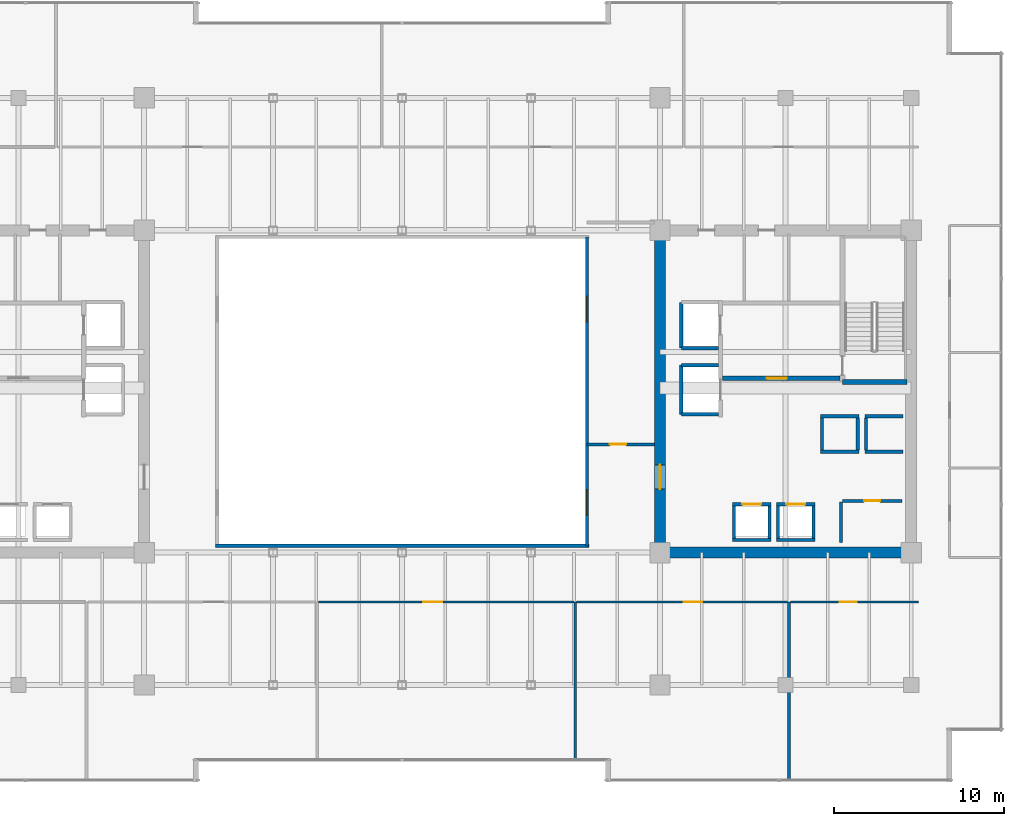
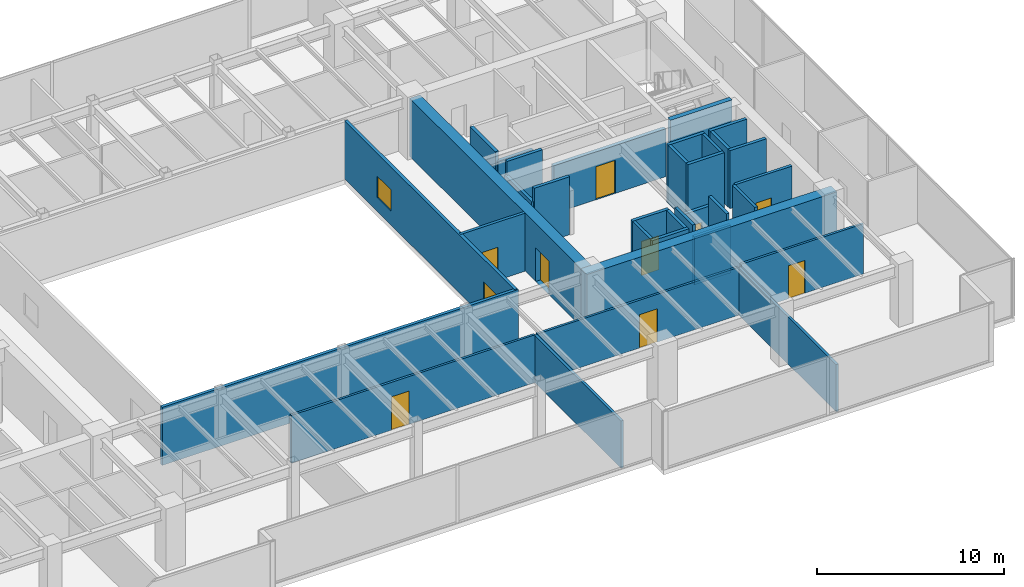
# One storey, part 26 of 30: 34 walls, 9 doors, 2 windows, 11 openings.
"""IFC4 building model written with IfcOpenShell, lengths in metres."""

from ifc_helpers import new_model, si_unit, direction, frame, frame_2d, origin, place, context, subcontext, project, spatial, rectangle, extrude, source, transform, mapped, material, layer, layer_set, type_object, type_shapes, element, fill, save


model = new_model("IFC4")

# Units and contexts
model_context = context("Model", 3, precision=1e-05, world=origin(), true_north=direction((0.0, 1.0)))
body_context = subcontext(model_context, "Body", "Model", "MODEL_VIEW")
ifc_project = project(units=[si_unit("LENGTHUNIT", "METRE"), si_unit("AREAUNIT", "SQUARE_METRE"), si_unit("VOLUMEUNIT", "CUBIC_METRE"), si_unit("PLANEANGLEUNIT", "RADIAN"), si_unit("MASSUNIT", "GRAM", prefix="KILO")], contexts=[model_context])

# Site, building, storey
site_placement = place(None, origin())
site = spatial("IfcSite", under=ifc_project, at=site_placement, CompositionType="ELEMENT")
building_placement = place(site_placement, origin())
building = spatial("IfcBuilding", under=site, at=building_placement, Name="Haelvirn Gate Laboratories", CompositionType="ELEMENT")
storey_placement = place(building_placement, frame((0.0, 0.0, 142.0)))
storey = spatial("IfcBuildingStorey", under=building, at=storey_placement, Name="L34", CompositionType="ELEMENT", Elevation=142.0)

# Walls
ifc_material_1 = material(Name="Double-layer acoustic gypsum laboratory partition", Category="gypsum")
ifc_layer_1 = layer(ifc_material_1, 0.159912109375, Name="IW-ACOUST-160")
ifc_layer_set_1 = layer_set([ifc_layer_1], Name="Double-layer acoustic gypsum laboratory partition")
wall_type_1 = type_object("IfcWallType", Name="IW-ACOUST-160", PredefinedType="PARTITIONING", material=ifc_layer_set_1)
wall_1_placement = place(storey_placement, frame((47.60009765625, 2.610107421875, 0.0), z_axis=(0.0, 0.0, 1.0), x_axis=(0.0, 1.0, 0.0)))
element("IfcWall", 1, at=wall_1_placement, inside=storey, type_object=wall_type_1, Name="L34 Interior Wall IW-L34-SDIV-03", PredefinedType="PARTITIONING", context=body_context, shape_type="SweptSolid", body=[
    extrude(rectangle(XDim=9.27978515625, YDim=0.159912109375, at=frame_2d((4.639892578125, 0.0))), origin(), (0.0, 0.0, 1.0), 3.074951171875),
])
wall_2_placement = place(storey_placement, frame((60.199951171875, 1.409912109375, 0.0), z_axis=(0.0, 0.0, 1.0), x_axis=(0.0, 1.0, 0.0)))
element("IfcWall", 2, at=wall_2_placement, inside=storey, type_object=wall_type_1, Name="L34 Interior Wall IW-L34-SDIV-04", PredefinedType="PARTITIONING", context=body_context, shape_type="SweptSolid", body=[
    extrude(rectangle(XDim=10.47998046875, YDim=0.159912109375, at=frame_2d((5.239990234375, 0.0))), origin(), (0.0, 0.0, 1.0), 3.074951171875),
])

# Wall, opening, door
ifc_material_2 = material(Name="Fire-rated acoustic gypsum board partition", Category="gypsum")
ifc_layer_2 = layer(ifc_material_2, 0.175048828125, Name="IW-ACOUST-180")
ifc_layer_set_2 = layer_set([ifc_layer_2], Name="Fire-rated acoustic gypsum board partition")
wall_type_2 = type_object("IfcWallType", Name="IW-ACOUST-180", PredefinedType="PARTITIONING", material=ifc_layer_set_2)
wall_3_placement = place(storey_placement, frame((48.300048828125, 21.179931640625, 0.0), z_axis=(0.0, 0.0, 1.0), x_axis=(1.0, 0.0, 0.0)))
wall_3 = element("IfcWall", 3, at=wall_3_placement, inside=storey, type_object=wall_type_2, Name="L34 Interior Wall IW-L34-ASEM-S", PredefinedType="PARTITIONING", context=body_context, shape_type="SweptSolid", body=[
    extrude(rectangle(XDim=3.974853515625, YDim=0.175048828125, at=frame_2d((1.9873046875, 0.0))), origin(), (0.0, 0.0, 1.0), 3.7900390625),
])
opening_1_placement = place(wall_3_placement, frame((1.35009765625, 0.0, 0.0)))
opening_1 = element("IfcOpeningElement", 4, at=opening_1_placement, cuts=wall_3, Name="Opening FD4", PredefinedType="OPENING", context=body_context, shape_type="SweptSolid", body=[
    extrude(rectangle(XDim=0.949951171875, YDim=2.14990234375, at=frame_2d((0.47509765625, 1.074951171875))), frame((0.0, 0.09765625, 0.0), z_axis=(0.0, -1.0, 0.0), x_axis=(1.0, 0.0, 0.0)), (0.0, 0.0, 1.0), 0.195068359375),
])
ifc_material_3 = material(Name="Fire-rated steel SM355 core service door", Category="steel")
door_type_1 = type_object("IfcDoorType", Name="DR-FD-950", OperationType="NOTDEFINED", PredefinedType="DOOR", material=ifc_material_3)
shared_shape_1 = source(origin(), body_context, "Body", "SweptSolid", [
    extrude(rectangle(XDim=0.949951171875, YDim=2.14990234375, at=frame_2d((0.47509765625, 1.074951171875))), frame((0.0, 0.02490234375, 0.0), z_axis=(0.0, -1.0, 0.0), x_axis=(1.0, 0.0, 0.0)), (0.0, 0.0, 1.0), 0.050048828125),
])
type_shapes(door_type_1, [shared_shape_1])
door_1_placement = place(opening_1_placement, origin())
door_1 = element("IfcDoor", 5, at=door_1_placement, inside=storey, type_object=door_type_1, Name="L34 Atrium Bioinformatics Suite Door", OperationType="SINGLE_SWING_LEFT", OverallHeight=2.14990234375, OverallWidth=0.949951171875, PredefinedType="DOOR", context=body_context, shape_type="MappedRepresentation", body=[
    mapped(shared_shape_1, transform((0.0, 0.0, 0.0), scale=1.0)),
])
fill(opening_1, door_1)

# Wall, openings, windows
ifc_material_4 = material(Name="Tempered fire-rated borosilicate glass & anodised aluminium", Category="aluminium")
ifc_layer_3 = layer(ifc_material_4, 0.195068359375, Name="IW-GLAZ-200")
ifc_layer_set_3 = layer_set([ifc_layer_3], Name="Tempered fire-rated borosilicate glass & anodised aluminium")
wall_type_3 = type_object("IfcWallType", Name="IW-GLAZ-200", PredefinedType="SOLIDWALL", material=ifc_layer_set_3)
wall_4_placement = place(storey_placement, frame((48.300048828125, 15.199951171875, 0.0), z_axis=(0.0, 0.0, 1.0), x_axis=(0.0, 1.0, 0.0)))
wall_4 = element("IfcWall", 6, at=wall_4_placement, inside=storey, type_object=wall_type_3, Name="L34 Interior Wall IW-L34-ATRIUM-E", PredefinedType="SOLIDWALL", context=body_context, shape_type="SweptSolid", body=[
    extrude(rectangle(XDim=18.199951171875, YDim=0.195068359375, at=frame_2d((9.10009765625, 0.0))), origin(), (0.0, 0.0, 1.0), 3.7900390625),
])
opening_2_placement = place(wall_4_placement, frame((1.800048828125, 0.0, 0.89990234375)))
opening_2 = element("IfcOpeningElement", 7, at=opening_2_placement, cuts=wall_4, Name="Opening W5", PredefinedType="OPENING", context=body_context, shape_type="SweptSolid", body=[
    extrude(rectangle(XDim=1.5, YDim=1.39990234375, at=frame_2d((0.75, 0.699951171875))), frame((0.0, 0.107421875, 0.0), z_axis=(0.0, -1.0, 0.0), x_axis=(1.0, 0.0, 0.0)), (0.0, 0.0, 1.0), 0.215087890625),
])
opening_3_placement = place(wall_4_placement, frame((13.199951171875, 0.0, 0.89990234375)))
opening_3 = element("IfcOpeningElement", 8, at=opening_3_placement, cuts=wall_4, Name="Opening W5", PredefinedType="OPENING", context=body_context, shape_type="SweptSolid", body=[
    extrude(rectangle(XDim=1.5, YDim=1.39990234375, at=frame_2d((0.75, 0.699951171875))), frame((0.0, 0.107421875, 0.0), z_axis=(0.0, -1.0, 0.0), x_axis=(1.0, 0.0, 0.0)), (0.0, 0.0, 1.0), 0.215087890625),
])
ifc_material_5 = material(Name="Fire-rated EI 120 borosilicate atrium vision glazing", Category="glass")
window_type = type_object("IfcWindowType", Name="WN-ATR-1500", PartitioningType="SINGLE_PANEL", PredefinedType="WINDOW", material=ifc_material_5)
shared_shape_2 = source(origin(), body_context, "Body", "SweptSolid", [
    extrude(rectangle(XDim=1.5, YDim=1.39990234375, at=frame_2d((0.75, 0.699951171875))), frame((0.0, 0.030029296875, 0.0), z_axis=(0.0, -1.0, 0.0), x_axis=(1.0, 0.0, 0.0)), (0.0, 0.0, 1.0), 0.06005859375),
])
type_shapes(window_type, [shared_shape_2])
window_1_placement = place(opening_2_placement, origin())
window_1 = element("IfcWindow", 9, at=window_1_placement, inside=storey, type_object=window_type, Name="L34 Atrium Observation Window 1", OverallHeight=1.39990234375, OverallWidth=1.5, PartitioningType="SINGLE_PANEL", PredefinedType="WINDOW", context=body_context, shape_type="MappedRepresentation", body=[
    mapped(shared_shape_2, transform((0.0, 0.0, 0.0), scale=1.0)),
])
fill(opening_2, window_1)
window_2_placement = place(opening_3_placement, origin())
window_2 = element("IfcWindow", 10, at=window_2_placement, inside=storey, type_object=window_type, Name="L34 Atrium Observation Window 2", OverallHeight=1.39990234375, OverallWidth=1.5, PartitioningType="SINGLE_PANEL", PredefinedType="WINDOW", context=body_context, shape_type="MappedRepresentation", body=[
    mapped(shared_shape_2, transform((0.0, 0.0, 0.0), scale=1.0)),
])
fill(opening_3, window_2)

# Wall
wall_5_placement = place(storey_placement, frame((26.39990234375, 15.199951171875, 0.0), z_axis=(0.0, 0.0, 1.0), x_axis=(1.0, 0.0, 0.0)))
element("IfcWall", 11, at=wall_5_placement, inside=storey, type_object=wall_type_3, Name="L34 Interior Wall IW-L34-ATRIUM-S", PredefinedType="SOLIDWALL", context=body_context, shape_type="SweptSolid", body=[
    extrude(rectangle(XDim=22.0, YDim=0.195068359375, at=frame_2d((11.0, 0.0))), origin(), (0.0, 0.0, 1.0), 3.7900390625),
])

# Wall, opening, door
ifc_material_6 = material(Name="Acoustic mineral-wool gypsum board partition", Category="gypsum")
ifc_layer_4 = layer(ifc_material_6, 0.139892578125, Name="IW-PART-140")
ifc_layer_set_4 = layer_set([ifc_layer_4], Name="Acoustic mineral-wool gypsum board partition")
wall_type_4 = type_object("IfcWallType", Name="IW-PART-140", PredefinedType="PARTITIONING", material=ifc_layer_set_4)
wall_6_placement = place(storey_placement, frame((32.47998046875, 11.889892578125, 0.0), z_axis=(0.0, 0.0, 1.0), x_axis=(1.0, 0.0, 0.0)))
wall_6 = element("IfcWall", 12, at=wall_6_placement, inside=storey, type_object=wall_type_4, Name="L34 Interior Wall IW-L34-SCORR-03", PredefinedType="PARTITIONING", context=body_context, shape_type="SweptSolid", body=[
    extrude(rectangle(XDim=15.0400390625, YDim=0.139892578125, at=frame_2d((7.52001953125, 0.0))), origin(), (0.0, 0.0, 1.0), 3.125),
])
opening_4_placement = place(wall_6_placement, frame((6.175537109375, 0.0, 0.0)))
opening_4 = element("IfcOpeningElement", 13, at=opening_4_placement, cuts=wall_6, Name="Opening D1", PredefinedType="OPENING", context=body_context, shape_type="SweptSolid", body=[
    extrude(rectangle(XDim=1.10009765625, YDim=2.179931640625, at=frame_2d((0.550048828125, 1.08984375))), frame((0.0, 0.080078125, 0.0), z_axis=(0.0, -1.0, 0.0), x_axis=(1.0, 0.0, 0.0)), (0.0, 0.0, 1.0), 0.159912109375),
])
ifc_material_7 = material(Name="Vision-panel acoustic solid-core timber lab door", Category="wood")
door_type_2 = type_object("IfcDoorType", Name="DR-LAB-1100", OperationType="NOTDEFINED", PredefinedType="DOOR", material=ifc_material_7)
shared_shape_3 = source(origin(), body_context, "Body", "SweptSolid", [
    extrude(rectangle(XDim=1.10009765625, YDim=2.179931640625, at=frame_2d((0.550048828125, 1.08984375))), frame((0.0, 0.02490234375, 0.0), z_axis=(0.0, -1.0, 0.0), x_axis=(1.0, 0.0, 0.0)), (0.0, 0.0, 1.0), 0.050048828125),
])
type_shapes(door_type_2, [shared_shape_3])
door_2_placement = place(opening_4_placement, origin())
door_2 = element("IfcDoor", 14, at=door_2_placement, inside=storey, type_object=door_type_2, Name="L34 Bioinformatics Dry-Lab Workspace Door S3", OperationType="SINGLE_SWING_LEFT", OverallHeight=2.179931640625, OverallWidth=1.10009765625, PredefinedType="DOOR", context=body_context, shape_type="MappedRepresentation", body=[
    mapped(shared_shape_3, transform((0.0, 0.0, 0.0), scale=1.0)),
])
fill(opening_4, door_2)

wall_7_placement = place(storey_placement, frame((47.679931640625, 11.889892578125, 0.0), z_axis=(0.0, 0.0, 1.0), x_axis=(1.0, 0.0, 0.0)))
wall_7 = element("IfcWall", 15, at=wall_7_placement, inside=storey, type_object=wall_type_4, Name="L34 Interior Wall IW-L34-SCORR-04", PredefinedType="PARTITIONING", context=body_context, shape_type="SweptSolid", body=[
    extrude(rectangle(XDim=12.440185546875, YDim=0.139892578125, at=frame_2d((6.22021484375, 0.0))), origin(), (0.0, 0.0, 1.0), 3.125),
])
opening_5_placement = place(wall_7_placement, frame((6.308349609375, 0.0, 0.0)))
opening_5 = element("IfcOpeningElement", 16, at=opening_5_placement, cuts=wall_7, Name="Opening D1", PredefinedType="OPENING", context=body_context, shape_type="SweptSolid", body=[
    extrude(rectangle(XDim=1.10009765625, YDim=2.179931640625, at=frame_2d((0.550048828125, 1.08984375))), frame((0.0, 0.080078125, 0.0), z_axis=(0.0, -1.0, 0.0), x_axis=(1.0, 0.0, 0.0)), (0.0, 0.0, 1.0), 0.159912109375),
])
door_3_placement = place(opening_5_placement, origin())
door_3 = element("IfcDoor", 17, at=door_3_placement, inside=storey, type_object=door_type_2, Name="L34 Translational Data Office Door S4", OperationType="SINGLE_SWING_RIGHT", OverallHeight=2.179931640625, OverallWidth=1.10009765625, PredefinedType="DOOR", context=body_context, shape_type="MappedRepresentation", body=[
    mapped(shared_shape_3, transform((0.0, 0.0, 0.0), scale=1.0)),
])
fill(opening_5, door_3)

wall_8_placement = place(storey_placement, frame((60.280029296875, 11.889892578125, 0.0), z_axis=(0.0, 0.0, 1.0), x_axis=(1.0, 0.0, 0.0)))
wall_8 = element("IfcWall", 18, at=wall_8_placement, inside=storey, type_object=wall_type_4, Name="L34 Interior Wall IW-L34-SCORR-05", PredefinedType="PARTITIONING", context=body_context, shape_type="SweptSolid", body=[
    extrude(rectangle(XDim=7.5400390625, YDim=0.139892578125, at=frame_2d((3.77001953125, 0.0))), origin(), (0.0, 0.0, 1.0), 3.27490234375),
])
opening_6_placement = place(wall_8_placement, frame((2.919677734375, 0.0, 0.0)))
opening_6 = element("IfcOpeningElement", 19, at=opening_6_placement, cuts=wall_8, Name="Opening D2", PredefinedType="OPENING", context=body_context, shape_type="SweptSolid", body=[
    extrude(rectangle(XDim=1.0, YDim=2.14990234375, at=frame_2d((0.5, 1.074951171875))), frame((0.0, 0.080078125, 0.0), z_axis=(0.0, -1.0, 0.0), x_axis=(1.0, 0.0, 0.0)), (0.0, 0.0, 1.0), 0.159912109375),
])
ifc_material_8 = material(Name="Acoustic solid-core timber suite door", Category="wood")
door_type_3 = type_object("IfcDoorType", Name="DR-INT-1000", OperationType="NOTDEFINED", PredefinedType="DOOR", material=ifc_material_8)
shared_shape_4 = source(origin(), body_context, "Body", "SweptSolid", [
    extrude(rectangle(XDim=1.0, YDim=2.14990234375, at=frame_2d((0.5, 1.074951171875))), frame((0.0, 0.02490234375, 0.0), z_axis=(0.0, -1.0, 0.0), x_axis=(1.0, 0.0, 0.0)), (0.0, 0.0, 1.0), 0.050048828125),
])
type_shapes(door_type_3, [shared_shape_4])
door_4_placement = place(opening_6_placement, origin())
door_4 = element("IfcDoor", 20, at=door_4_placement, inside=storey, type_object=door_type_3, Name="L34 Peer-Review Seminar Room Door S5", OperationType="SINGLE_SWING_LEFT", OverallHeight=2.14990234375, OverallWidth=1.0, PredefinedType="DOOR", context=body_context, shape_type="MappedRepresentation", body=[
    mapped(shared_shape_4, transform((0.0, 0.0, 0.0), scale=1.0)),
])
fill(opening_6, door_4)

# Walls
ifc_material_9 = material(Name="Concrete C40/50", Category="concrete")
ifc_layer_5 = layer(ifc_material_9, 0.179931640625, Name="IW-SHAFT-180")
ifc_layer_set_5 = layer_set([ifc_layer_5], Name="Concrete C40/50")
wall_type_5 = type_object("IfcWallType", Name="IW-SHAFT-180", PredefinedType="SOLIDWALL", material=ifc_layer_set_5)
for number, where, z_axis, x_axis, name in (
    (21, (59.550048828125, 15.64990234375, 0.0), (0.0, 0.0, 1.0), (0.0, 1.0, 0.0), "L34 Interior Wall IW-L34-PL7-SD"),
    (22, (61.64990234375, 15.64990234375, 0.0), (0.0, 0.0, 1.0), (0.0, 1.0, 0.0), "L34 Interior Wall IW-L34-PL7-SDE"),
    (23, (56.949951171875, 15.64990234375, 0.0), (0.0, 0.0, 1.0), (0.0, 1.0, 0.0), "L34 Interior Wall IW-L34-PL8-SD"),
    (24, (59.050048828125, 15.64990234375, 0.0), (0.0, 0.0, 1.0), (0.0, 1.0, 0.0), "L34 Interior Wall IW-L34-PL8-SDE"),
):
    element("IfcWall", number, at=place(storey_placement, frame(where, z_axis=z_axis, x_axis=x_axis)), inside=storey, type_object=wall_type_5, Name=name, PredefinedType="SOLIDWALL", context=body_context, shape_type="SweptSolid", body=[
        extrude(rectangle(XDim=1.900146484375, YDim=0.179931640625, at=frame_2d((0.9501953125, 0.0))), origin(), (0.0, 0.0, 1.0), 3.7900390625),
    ])
for number, where, z_axis, x_axis, name in (
    (25, (64.75, 20.85009765625, 0.0), (0.0, 0.0, 1.0), (0.0, 1.0, 0.0), "L34 Interior Wall IW-L34-PL11-SD"),
    (26, (62.14990234375, 20.85009765625, 0.0), (0.0, 0.0, 1.0), (0.0, 1.0, 0.0), "L34 Interior Wall IW-L34-PL12-SD"),
    (27, (64.25, 20.85009765625, 0.0), (0.0, 0.0, 1.0), (0.0, 1.0, 0.0), "L34 Interior Wall IW-L34-PL12-SDE"),
):
    element("IfcWall", number, at=place(storey_placement, frame(where, z_axis=z_axis, x_axis=x_axis)), inside=storey, type_object=wall_type_5, Name=name, PredefinedType="SOLIDWALL", context=body_context, shape_type="SweptSolid", body=[
        extrude(rectangle(XDim=1.89990234375, YDim=0.179931640625, at=frame_2d((0.949951171875, 0.0))), origin(), (0.0, 0.0, 1.0), 3.7900390625),
    ])

# Wall, opening, door
wall_9_placement = place(storey_placement, frame((63.35009765625, 17.85009765625, 0.0), z_axis=(0.0, 0.0, 1.0), x_axis=(1.0, 0.0, 0.0)))
wall_9 = element("IfcWall", 28, at=wall_9_placement, inside=storey, type_object=wall_type_5, Name="L34 Interior Wall IW-L34-E-FREED-LN-1", PredefinedType="SOLIDWALL", context=body_context, shape_type="SweptSolid", body=[
    extrude(rectangle(XDim=3.5, YDim=0.179931640625, at=frame_2d((1.75, 0.0))), origin(), (0.0, 0.0, 1.0), 3.7900390625),
])
opening_7_placement = place(wall_9_placement, frame((1.27490234375, 0.0, 0.0)))
opening_7 = element("IfcOpeningElement", 29, at=opening_7_placement, cuts=wall_9, Name="Opening FD4", PredefinedType="OPENING", context=body_context, shape_type="SweptSolid", body=[
    extrude(rectangle(XDim=0.949951171875, YDim=2.14990234375, at=frame_2d((0.47509765625, 1.074951171875))), frame((0.0, 0.10009765625, 0.0), z_axis=(0.0, -1.0, 0.0), x_axis=(1.0, 0.0, 0.0)), (0.0, 0.0, 1.0), 0.199951171875),
])
door_5_placement = place(opening_7_placement, origin())
door_5 = element("IfcDoor", 30, at=door_5_placement, inside=storey, type_object=door_type_1, Name="L34 Core Calibration Room Door", OperationType="SINGLE_SWING_LEFT", OverallHeight=2.14990234375, OverallWidth=0.949951171875, PredefinedType="DOOR", context=body_context, shape_type="MappedRepresentation", body=[
    mapped(shared_shape_1, transform((0.0, 0.0, 0.0), scale=1.0)),
])
fill(opening_7, door_5)

# Wall
wall_10_placement = place(storey_placement, frame((63.260009765625, 15.39990234375, 0.0), z_axis=(0.0, 0.0, 1.0), x_axis=(0.0, 1.0, 0.0)))
element("IfcWall", 31, at=wall_10_placement, inside=storey, type_object=wall_type_5, Name="L34 Interior Wall IW-L34-E-FREED-LE-1", PredefinedType="SOLIDWALL", context=body_context, shape_type="SweptSolid", body=[
    extrude(rectangle(XDim=2.400146484375, YDim=0.179931640625, at=frame_2d((1.2001953125, 0.0))), origin(), (0.0, 0.0, 1.0), 3.7900390625),
])

# Wall, opening, door
ifc_layer_6 = layer(ifc_material_9, 0.199951171875, Name="IW-SHAFT-200")
ifc_layer_set_6 = layer_set([ifc_layer_6], Name="Concrete C40/50")
wall_type_6 = type_object("IfcWallType", Name="IW-SHAFT-200", PredefinedType="SOLIDWALL", material=ifc_layer_set_6)
wall_11_placement = place(storey_placement, frame((59.469970703125, 17.64990234375, 0.0), z_axis=(0.0, 0.0, 1.0), x_axis=(1.0, 0.0, 0.0)))
wall_11 = element("IfcWall", 32, at=wall_11_placement, inside=storey, type_object=wall_type_6, Name="L34 Interior Wall IW-L34-PL7-FR", PredefinedType="SOLIDWALL", context=body_context, shape_type="SweptSolid", body=[
    extrude(rectangle(XDim=2.260009765625, YDim=0.199951171875, at=frame_2d((1.1298828125, 0.0))), origin(), (0.0, 0.0, 1.0), 3.125),
])
opening_8_placement = place(wall_11_placement, frame((0.580078125, 0.0, 0.0)))
opening_8 = element("IfcOpeningElement", 33, at=opening_8_placement, cuts=wall_11, Name="Opening LD2", PredefinedType="OPENING", context=body_context, shape_type="SweptSolid", body=[
    extrude(rectangle(XDim=1.10009765625, YDim=2.219970703125, at=frame_2d((0.550048828125, 1.10986328125))), frame((0.0, 0.10986328125, 0.0), z_axis=(0.0, -1.0, 0.0), x_axis=(1.0, 0.0, 0.0)), (0.0, 0.0, 1.0), 0.219970703125),
])
ifc_material_10 = material(Name="Bronze stainless 316L sliding lift landing door")
door_type_4 = type_object("IfcDoorType", Name="DR-LD-1100", OperationType="NOTDEFINED", PredefinedType="USERDEFINED", material=ifc_material_10)
shared_shape_5 = source(origin(), body_context, "Body", "SweptSolid", [
    extrude(rectangle(XDim=1.10009765625, YDim=2.219970703125, at=frame_2d((0.550048828125, 1.10986328125))), frame((0.0, 0.02490234375, 0.0), z_axis=(0.0, -1.0, 0.0), x_axis=(1.0, 0.0, 0.0)), (0.0, 0.0, 1.0), 0.050048828125),
])
type_shapes(door_type_4, [shared_shape_5])
door_6_placement = place(opening_8_placement, origin())
door_6 = element("IfcDoor", 34, at=door_6_placement, inside=storey, type_object=door_type_4, Name="L34 Passenger Lift PL7 Landing Door", ObjectType="LANDING_DOOR", OperationType="SLIDING_TO_LEFT", OverallHeight=2.219970703125, OverallWidth=1.10009765625, PredefinedType="USERDEFINED", context=body_context, shape_type="MappedRepresentation", body=[
    mapped(shared_shape_5, transform((0.0, 0.0, 0.0), scale=1.0)),
])
fill(opening_8, door_6)

# Wall
wall_12_placement = place(storey_placement, frame((59.469970703125, 15.550048828125, 0.0), z_axis=(0.0, 0.0, 1.0), x_axis=(1.0, 0.0, 0.0)))
element("IfcWall", 35, at=wall_12_placement, inside=storey, type_object=wall_type_6, Name="L34 Interior Wall IW-L34-PL7-BK", PredefinedType="SOLIDWALL", context=body_context, shape_type="SweptSolid", body=[
    extrude(rectangle(XDim=2.260009765625, YDim=0.199951171875, at=frame_2d((1.1298828125, 0.0))), origin(), (0.0, 0.0, 1.0), 3.125),
])

# Wall, opening, door
wall_13_placement = place(storey_placement, frame((56.8701171875, 17.64990234375, 0.0), z_axis=(0.0, 0.0, 1.0), x_axis=(1.0, 0.0, 0.0)))
wall_13 = element("IfcWall", 36, at=wall_13_placement, inside=storey, type_object=wall_type_6, Name="L34 Interior Wall IW-L34-PL8-FR", PredefinedType="SOLIDWALL", context=body_context, shape_type="SweptSolid", body=[
    extrude(rectangle(XDim=2.259765625, YDim=0.199951171875, at=frame_2d((1.1298828125, 0.0))), origin(), (0.0, 0.0, 1.0), 3.7900390625),
])
opening_9_placement = place(wall_13_placement, frame((0.580078125, 0.0, 0.0)))
opening_9 = element("IfcOpeningElement", 37, at=opening_9_placement, cuts=wall_13, Name="Opening LD2", PredefinedType="OPENING", context=body_context, shape_type="SweptSolid", body=[
    extrude(rectangle(XDim=1.10009765625, YDim=2.219970703125, at=frame_2d((0.550048828125, 1.10986328125))), frame((0.0, 0.10986328125, 0.0), z_axis=(0.0, -1.0, 0.0), x_axis=(1.0, 0.0, 0.0)), (0.0, 0.0, 1.0), 0.219970703125),
])
door_7_placement = place(opening_9_placement, origin())
door_7 = element("IfcDoor", 38, at=door_7_placement, inside=storey, type_object=door_type_4, Name="L34 Passenger Lift PL8 Landing Door", ObjectType="LANDING_DOOR", OperationType="SLIDING_TO_RIGHT", OverallHeight=2.219970703125, OverallWidth=1.10009765625, PredefinedType="USERDEFINED", context=body_context, shape_type="MappedRepresentation", body=[
    mapped(shared_shape_5, transform((0.0, 0.0, 0.0), scale=1.0)),
])
fill(opening_9, door_7)

# Walls
wall_14_placement = place(storey_placement, frame((56.8701171875, 15.550048828125, 0.0), z_axis=(0.0, 0.0, 1.0), x_axis=(1.0, 0.0, 0.0)))
element("IfcWall", 39, at=wall_14_placement, inside=storey, type_object=wall_type_6, Name="L34 Interior Wall IW-L34-PL8-BK", PredefinedType="SOLIDWALL", context=body_context, shape_type="SweptSolid", body=[
    extrude(rectangle(XDim=2.259765625, YDim=0.199951171875, at=frame_2d((1.1298828125, 0.0))), origin(), (0.0, 0.0, 1.0), 3.7900390625),
])
for number, where, z_axis, x_axis, name in (
    (40, (64.669921875, 20.75, 0.0), (0.0, 0.0, 1.0), (1.0, 0.0, 0.0), "L34 Interior Wall IW-L34-PL11-FR"),
    (41, (64.669921875, 22.85009765625, 0.0), (0.0, 0.0, 1.0), (1.0, 0.0, 0.0), "L34 Interior Wall IW-L34-PL11-BK"),
    (42, (62.070068359375, 20.75, 0.0), (0.0, 0.0, 1.0), (1.0, 0.0, 0.0), "L34 Interior Wall IW-L34-PL12-FR"),
    (43, (62.070068359375, 22.85009765625, 0.0), (0.0, 0.0, 1.0), (1.0, 0.0, 0.0), "L34 Interior Wall IW-L34-PL12-BK"),
):
    element("IfcWall", number, at=place(storey_placement, frame(where, z_axis=z_axis, x_axis=x_axis)), inside=storey, type_object=wall_type_6, Name=name, PredefinedType="SOLIDWALL", context=body_context, shape_type="SweptSolid", body=[
        extrude(rectangle(XDim=2.260009765625, YDim=0.199951171875, at=frame_2d((1.1298828125, 0.0))), origin(), (0.0, 0.0, 1.0), 3.7900390625),
    ])
wall_15_placement = place(storey_placement, frame((53.85009765625, 26.85009765625, 0.0), z_axis=(0.0, 0.0, 1.0), x_axis=(0.0, 1.0, 0.0)))
element("IfcWall", 44, at=wall_15_placement, inside=storey, type_object=wall_type_6, Name="L34 Interior Wall IW-L34-FL2-BK", PredefinedType="SOLIDWALL", context=body_context, shape_type="SweptSolid", body=[
    extrude(rectangle(XDim=2.699951171875, YDim=0.199951171875, at=frame_2d((1.35009765625, 0.0))), origin(), (0.0, 0.0, 1.0), 3.7900390625),
])
wall_16_placement = place(storey_placement, frame((53.85009765625, 26.85009765625, 0.0), z_axis=(0.0, 0.0, 1.0), x_axis=(1.0, 0.0, 0.0)))
element("IfcWall", 45, at=wall_16_placement, inside=storey, type_object=wall_type_6, Name="L34 Interior Wall IW-L34-FL2-S", PredefinedType="SOLIDWALL", context=body_context, shape_type="SweptSolid", body=[
    extrude(rectangle(XDim=2.18994140625, YDim=0.199951171875, at=frame_2d((1.094970703125, 0.0))), origin(), (0.0, 0.0, 1.0), 3.18701171875),
])
wall_17_placement = place(storey_placement, frame((53.85009765625, 22.949951171875, 0.0), z_axis=(0.0, 0.0, 1.0), x_axis=(0.0, 1.0, 0.0)))
element("IfcWall", 46, at=wall_17_placement, inside=storey, type_object=wall_type_6, Name="L34 Interior Wall IW-L34-SL2-BK", PredefinedType="SOLIDWALL", context=body_context, shape_type="SweptSolid", body=[
    extrude(rectangle(XDim=2.900146484375, YDim=0.199951171875, at=frame_2d((1.4501953125, 0.0))), origin(), (0.0, 0.0, 1.0), 2.875),
])
for number, where, z_axis, x_axis, name in (
    (47, (53.85009765625, 25.85009765625, 0.0), (0.0, 0.0, 1.0), (1.0, 0.0, 0.0), "L34 Interior Wall IW-L34-SL2-N"),
    (48, (53.85009765625, 22.949951171875, 0.0), (0.0, 0.0, 1.0), (1.0, 0.0, 0.0), "L34 Interior Wall IW-L34-SL2-S"),
):
    element("IfcWall", number, at=place(storey_placement, frame(where, z_axis=z_axis, x_axis=x_axis)), inside=storey, type_object=wall_type_6, Name=name, PredefinedType="SOLIDWALL", context=body_context, shape_type="SweptSolid", body=[
        extrude(rectangle(XDim=2.18994140625, YDim=0.199951171875, at=frame_2d((1.094970703125, 0.0))), origin(), (0.0, 0.0, 1.0), 3.7900390625),
    ])

# Wall, opening, door
ifc_layer_7 = layer(ifc_material_9, 0.239990234375, Name="IW-SHAFT-240")
ifc_layer_set_7 = layer_set([ifc_layer_7], Name="Concrete C40/50")
wall_type_7 = type_object("IfcWallType", Name="IW-SHAFT-240", PredefinedType="SOLIDWALL", material=ifc_layer_set_7)
wall_18_placement = place(storey_placement, frame((56.280029296875, 25.080078125, 0.0), z_axis=(0.0, 0.0, 1.0), x_axis=(1.0, 0.0, 0.0)))
wall_18 = element("IfcWall", 49, at=wall_18_placement, inside=storey, type_object=wall_type_7, Name="L34 Interior Wall IW-L34-E-FF-S", PredefinedType="SOLIDWALL", context=body_context, shape_type="SweptSolid", body=[
    extrude(rectangle(XDim=6.919921875, YDim=0.239990234375, at=frame_2d((3.4599609375, 0.0))), origin(), (0.0, 0.0, 1.0), 3.125),
])
opening_10_placement = place(wall_18_placement, frame((2.60009765625, 0.0, 0.0)))
opening_10 = element("IfcOpeningElement", 50, at=opening_10_placement, cuts=wall_18, Name="Opening FD2", PredefinedType="OPENING", context=body_context, shape_type="SweptSolid", body=[
    extrude(rectangle(XDim=1.199951171875, YDim=2.159912109375, at=frame_2d((0.60009765625, 1.080078125))), frame((0.0, 0.1298828125, 0.0), z_axis=(0.0, -1.0, 0.0), x_axis=(1.0, 0.0, 0.0)), (0.0, 0.0, 1.0), 0.260009765625),
])
ifc_material_11 = material(Name="Fire-rated steel SM355 compartment door", Category="steel")
door_type_5 = type_object("IfcDoorType", Name="DR-FD-1200", OperationType="NOTDEFINED", PredefinedType="DOOR", material=ifc_material_11)
shared_shape_6 = source(origin(), body_context, "Body", "SweptSolid", [
    extrude(rectangle(XDim=1.199951171875, YDim=2.159912109375, at=frame_2d((0.60009765625, 1.080078125))), frame((0.0, 0.02490234375, 0.0), z_axis=(0.0, -1.0, 0.0), x_axis=(1.0, 0.0, 0.0)), (0.0, 0.0, 1.0), 0.050048828125),
])
type_shapes(door_type_5, [shared_shape_6])
door_8_placement = place(opening_10_placement, origin())
door_8 = element("IfcDoor", 51, at=door_8_placement, inside=storey, type_object=door_type_5, Name="L34 East Firefighting Lobby Door", OperationType="SINGLE_SWING_LEFT", OverallHeight=2.159912109375, OverallWidth=1.199951171875, PredefinedType="DOOR", context=body_context, shape_type="MappedRepresentation", body=[
    mapped(shared_shape_6, transform((0.0, 0.0, 0.0), scale=1.0)),
])
fill(opening_10, door_8)

# Wall
ifc_material_12 = material(Name="Concrete C60/75", Category="concrete")
ifc_layer_8 = layer(ifc_material_12, 0.64990234375, Name="SW-CORE-650")
ifc_layer_set_8 = layer_set([ifc_layer_8], Name="Concrete C60/75")
wall_type_8 = type_object("IfcWallType", Name="SW-CORE-650", PredefinedType="SHEAR", material=ifc_layer_set_8)
wall_19_placement = place(storey_placement, frame((52.27490234375, 14.800048828125, 0.0), z_axis=(0.0, 0.0, 1.0), x_axis=(1.0, 0.0, 0.0)))
element("IfcWall", 52, at=wall_19_placement, inside=storey, type_object=wall_type_8, Name="L34 E Core Shear Wall S", PredefinedType="SHEAR", context=body_context, shape_type="SweptSolid", body=[
    extrude(rectangle(XDim=15.4501953125, YDim=0.64990234375, at=frame_2d((7.72509765625, 0.0))), origin(), (0.0, 0.0, 1.0), 3.7900390625),
])

# Wall, opening, door
wall_20_placement = place(storey_placement, frame((52.60009765625, 15.125, 0.0), z_axis=(0.0, 0.0, 1.0), x_axis=(0.0, 1.0, 0.0)))
wall_20 = element("IfcWall", 53, at=wall_20_placement, inside=storey, type_object=wall_type_8, Name="L34 E Core Shear Wall W", PredefinedType="SHEAR", context=body_context, shape_type="SweptSolid", body=[
    extrude(rectangle(XDim=18.35009765625, YDim=0.64990234375, at=frame_2d((9.175048828125, 0.0))), origin(), (0.0, 0.0, 1.0), 3.7900390625),
])
opening_11_placement = place(wall_20_placement, frame((3.425048828125, 0.0, 0.0)))
opening_11 = element("IfcOpeningElement", 54, at=opening_11_placement, cuts=wall_20, Name="Opening FD1", PredefinedType="OPENING", context=body_context, shape_type="SweptSolid", body=[
    extrude(rectangle(XDim=1.419921875, YDim=2.199951171875, at=frame_2d((0.7099609375, 1.10009765625))), frame((0.0, 0.3349609375, 0.0), z_axis=(0.0, -1.0, 0.0), x_axis=(1.0, 0.0, 0.0)), (0.0, 0.0, 1.0), 0.669921875),
])
ifc_material_13 = material(Name="Fire-rated double steel SM355 lobby door", Category="steel")
door_type_6 = type_object("IfcDoorType", Name="DR-FD-1400", OperationType="NOTDEFINED", PredefinedType="DOOR", material=ifc_material_13)
shared_shape_7 = source(origin(), body_context, "Body", "SweptSolid", [
    extrude(rectangle(XDim=1.419921875, YDim=2.199951171875, at=frame_2d((0.7099609375, 1.10009765625))), frame((0.0, 0.02490234375, 0.0), z_axis=(0.0, -1.0, 0.0), x_axis=(1.0, 0.0, 0.0)), (0.0, 0.0, 1.0), 0.050048828125),
])
type_shapes(door_type_6, [shared_shape_7])
door_9_placement = place(opening_11_placement, origin())
door_9 = element("IfcDoor", 55, at=door_9_placement, inside=storey, type_object=door_type_6, Name="L34 East Core Lift Lobby Fire Door", OperationType="DOUBLE_DOOR_SINGLE_SWING", OverallHeight=2.199951171875, OverallWidth=1.419921875, PredefinedType="DOOR", context=body_context, shape_type="MappedRepresentation", body=[
    mapped(shared_shape_7, transform((0.0, 0.0, 0.0), scale=1.0)),
])
fill(opening_11, door_9)

# Wall
ifc_material_14 = material(Name="Concrete C50/60", Category="concrete")
ifc_layer_9 = layer(ifc_material_14, 0.300048828125, Name="SW-STAIR-300")
ifc_layer_set_9 = layer_set([ifc_layer_9], Name="Concrete C50/60")
wall_type_9 = type_object("IfcWallType", Name="SW-STAIR-300", PredefinedType="SHEAR", material=ifc_layer_set_9)
wall_21_placement = place(storey_placement, frame((63.35009765625, 24.85009765625, 0.0), z_axis=(0.0, 0.0, 1.0), x_axis=(1.0, 0.0, 0.0)))
element("IfcWall", 56, at=wall_21_placement, inside=storey, type_object=wall_type_9, Name="L34 E Core Stair Shaft Structural Wall S", PredefinedType="SHEAR", context=body_context, shape_type="SweptSolid", body=[
    extrude(rectangle(XDim=3.7998046875, YDim=0.300048828125, at=frame_2d((1.89990234375, 0.0))), origin(), (0.0, 0.0, 1.0), 3.7900390625),
])

save(model, "model.ifc")
